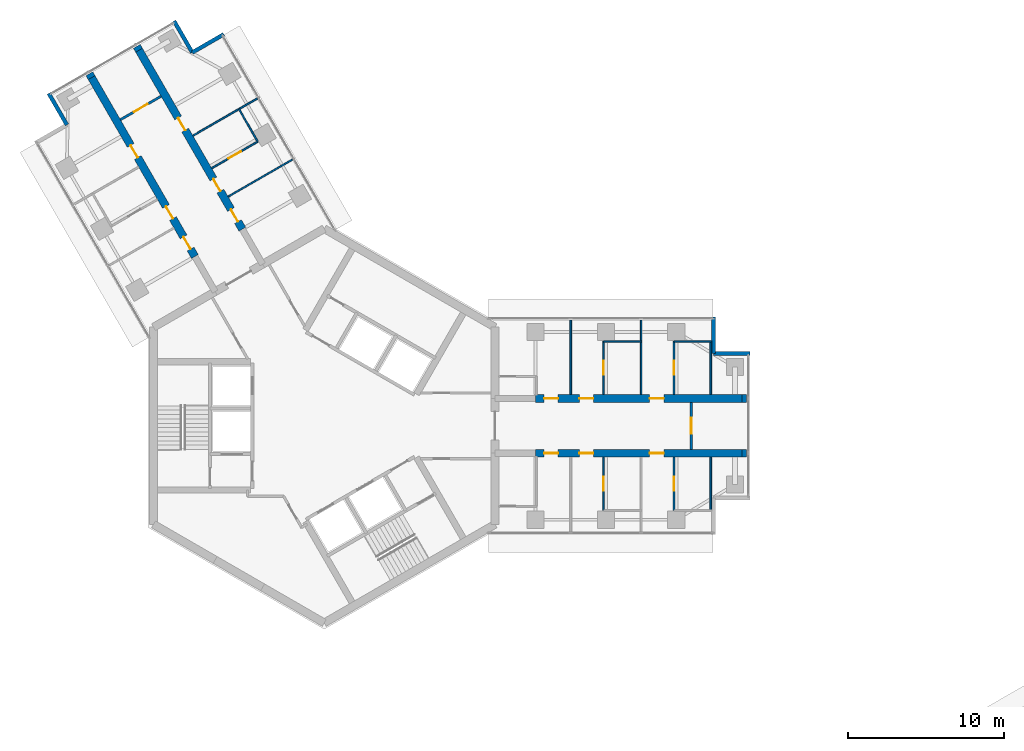
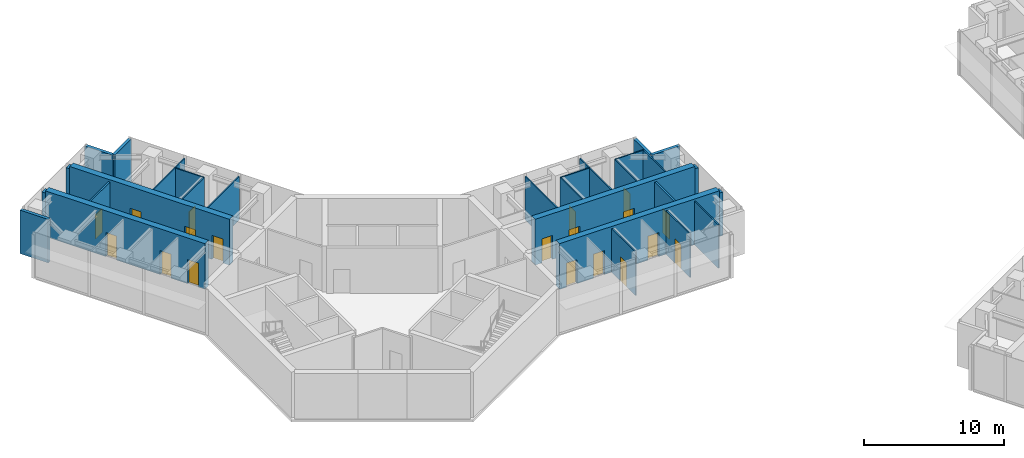
# One storey, part 13 of 17: 29 walls, 19 doors, 19 openings.
"""IFC4 building model written with IfcOpenShell, lengths in metres."""

import ifcopenshell
import ifcopenshell.guid

model = None  # the IFC model being written
_history = None  # IfcOwnerHistory: only IFC2X3 demands one
_inside = {}  # id of a spatial element -> (the spatial element, [elements in it])
_under = {}  # id of a project, library or spatial element -> (it, [spatial elements below it])
_declared = {}  # id of a project -> (the project, [libraries it declares])
_typed = {}  # id of a type object -> (the type object, [elements of that type])
_made_of = {}  # id of a material, layer set ... -> (it, [elements and type objects made of it])


def new_model(schema):
    """Start an empty IFC model of exactly this schema.

    Asked for "IFC4X3", IfcOpenShell would pick the latest addendum, in which some entities
    have other attributes; the version numbers below select the first issue.
    IFC2X3 requires an IfcOwnerHistory on every rooted entity: one is made here for all.
    """
    global model, _history
    if schema == "IFC4X3":
        model = ifcopenshell.file(schema_version=(4, 3, 0, 0))
    else:
        model = ifcopenshell.file(schema=schema)
    _inside.clear()
    _under.clear()
    _declared.clear()
    _typed.clear()
    _made_of.clear()
    _history = None
    if model.schema == "IFC2X3":
        org = make("IfcOrganization", Name="unknown")
        user = make(
            "IfcPersonAndOrganization",
            ThePerson=make("IfcPerson", FamilyName="unknown"),
            TheOrganization=org,
        )
        app = make(
            "IfcApplication",
            ApplicationDeveloper=org,
            Version="unknown",
            ApplicationFullName="unknown",
            ApplicationIdentifier="unknown",
        )
        _history = make(
            "IfcOwnerHistory",
            OwningUser=user,
            OwningApplication=app,
            ChangeAction="ADDED",
            CreationDate=0,
        )
    return model


def make(cls, **values):
    """One entity of the class cls with the attributes given. An attribute that is None is left unset."""
    return model.create_entity(
        cls, **{name: value for name, value in values.items() if value is not None}
    )


def rooted(cls, **values):
    """An entity with a GlobalId (a new one), such as an element, a storey or a relation."""
    return make(cls, GlobalId=ifcopenshell.guid.new(), OwnerHistory=_history, **values)


def si_unit(unit_type, name, prefix=None):
    """IfcSIUnit, for example si_unit("LENGTHUNIT", "METRE", prefix="MILLI")."""
    return make("IfcSIUnit", UnitType=unit_type, Prefix=prefix, Name=name)


def assignment(units):
    """IfcUnitAssignment: the units of a project."""
    return None if units is None else make("IfcUnitAssignment", Units=units)


def point(xyz):
    """IfcCartesianPoint."""
    return None if xyz is None else make("IfcCartesianPoint", Coordinates=xyz)


def direction(xyz):
    """IfcDirection."""
    return None if xyz is None else make("IfcDirection", DirectionRatios=xyz)


def frame(location, z_axis=None, x_axis=None):
    """IfcAxis2Placement3D, a coordinate frame: its origin and axes. An axis left out is left unset."""
    return make(
        "IfcAxis2Placement3D",
        Location=point(location),
        Axis=direction(z_axis),
        RefDirection=direction(x_axis),
    )


def frame_2d(location, x_axis=None):
    """IfcAxis2Placement2D, a coordinate frame in the plane: its origin and x axis."""
    return make(
        "IfcAxis2Placement2D", Location=point(location), RefDirection=direction(x_axis)
    )


def origin():
    """The frame at (0, 0, 0) with its axes left unset."""
    return frame((0.0, 0.0, 0.0))


def place(relative_to, where):
    """IfcLocalPlacement: puts the frame where relative to a parent placement (None: the world)."""
    return make(
        "IfcLocalPlacement", PlacementRelTo=relative_to, RelativePlacement=where
    )


def context(
    kind, dimensions, precision=None, world=None, true_north=None, identifier=None
):
    """IfcGeometricRepresentationContext, for example the 3D "Model" context."""
    return make(
        "IfcGeometricRepresentationContext",
        ContextIdentifier=identifier,
        ContextType=kind,
        CoordinateSpaceDimension=dimensions,
        Precision=precision,
        WorldCoordinateSystem=world,
        TrueNorth=true_north,
    )


def subcontext(parent, identifier, kind, view, scale=None):
    """IfcGeometricRepresentationSubContext, for example "Body" below "Model"."""
    return make(
        "IfcGeometricRepresentationSubContext",
        ContextIdentifier=identifier,
        ContextType=kind,
        ParentContext=parent,
        TargetScale=scale,
        TargetView=view,
    )


def project(units=None, contexts=None):
    """IfcProject with its units and contexts."""
    return rooted(
        "IfcProject",
        Name="project",
        RepresentationContexts=contexts,
        UnitsInContext=assignment(units),
    )


def spatial(cls, under=None, at=None, **own):
    """A site, building, storey or space (cls), placed at a placement, below another one or the project."""
    s = rooted(cls, ObjectPlacement=at, **own)
    if under is not None:
        _under.setdefault(under.id(), (under, []))[1].append(s)
    return s


def profile(cls, at=None, kind="AREA", **sizes):
    """A parametric profile (cls). Its sizes go by their IFC names, for example OverallWidth=200.0."""
    return make(cls, ProfileType=kind, Position=at, **sizes)


def rectangle(**sizes):
    """IfcRectangleProfileDef."""
    return profile("IfcRectangleProfileDef", **sizes)


def extrude(swept, where, along, depth):
    """IfcExtrudedAreaSolid: the profile swept, set in the frame where, extruded along a direction by depth."""
    return make(
        "IfcExtrudedAreaSolid",
        SweptArea=swept,
        Position=where,
        ExtrudedDirection=direction(along),
        Depth=depth,
    )


def shape(context_of_items, identifier, shape_type, items):
    """IfcShapeRepresentation: the items that make up one representation, for example the "Body"."""
    return make(
        "IfcShapeRepresentation",
        ContextOfItems=context_of_items,
        RepresentationIdentifier=identifier,
        RepresentationType=shape_type,
        Items=items,
    )


def material(Name=None, Category=None):
    """IfcMaterial."""
    return make("IfcMaterial", Name=Name, Category=Category)


def layer(
    of_material, thickness, ventilated=None, Name=None, Category=None, Priority=None
):
    """IfcMaterialLayer: one layer of a wall or slab, of a material (None: an air gap)."""
    return make(
        "IfcMaterialLayer",
        Material=of_material,
        LayerThickness=thickness,
        IsVentilated=ventilated,
        Name=Name,
        Category=Category,
        Priority=Priority,
    )


def layer_set(layers, Name=None):
    """IfcMaterialLayerSet."""
    return make("IfcMaterialLayerSet", MaterialLayers=layers, LayerSetName=Name)


def made_of(thing, what):
    """Note that an element or type object is made of a material, layer set ...; save() writes the relation."""
    if what is not None:
        _made_of.setdefault(what.id(), (what, []))[1].append(thing)
    return thing


def type_object(cls, material=None, **own):
    """A type object (cls), such as IfcWallType, which elements share."""
    return made_of(rooted(cls, **own), material)


def element(
    cls,
    number,
    at=None,
    inside=None,
    cuts=None,
    type_object=None,
    material=None,
    context=None,
    identifier="Body",
    shape_type=None,
    held_by="IfcProductDefinitionShape",
    body=None,
    shapes=None,
    **own,
):
    """One element of the class cls, such as IfcWall. Its Tag is "e" and its number.

    at: its placement. inside: the storey or other place that contains it. cuts: it is an
    opening in that element (IfcRelVoidsElement). A single representation is given by context,
    identifier, shape_type and body (its items); several are given by shapes. held_by: the class
    of the entity that holds the representations. save() writes the other relations.
    """
    e = rooted(cls, Tag="e%d" % number, ObjectPlacement=at, **own)
    if body is not None:
        shapes = [shape(context, identifier, shape_type, body)]
    if shapes is not None:
        e.Representation = make(held_by, Representations=shapes)
    if inside is not None:
        _inside.setdefault(inside.id(), (inside, []))[1].append(e)
    if cuts is not None:
        rooted(
            "IfcRelVoidsElement", RelatingBuildingElement=cuts, RelatedOpeningElement=e
        )
    if type_object is not None:
        _typed.setdefault(type_object.id(), (type_object, []))[1].append(e)
    return made_of(e, material)


def fill(opening, filler):
    """IfcRelFillsElement: the door or window that sits in an opening."""
    return rooted(
        "IfcRelFillsElement",
        RelatingOpeningElement=opening,
        RelatedBuildingElement=filler,
    )


def aggregate(whole, parts):
    """IfcRelAggregates: a whole, such as a stair, and the parts it consists of."""
    return rooted("IfcRelAggregates", RelatingObject=whole, RelatedObjects=parts)


def save(model, path):
    """Write the relations noted so far, then the file.

    IfcRelAggregates (storeys below a building ...), IfcRelContainedInSpatialStructure (elements
    in a storey), IfcRelDefinesByType, IfcRelAssociatesMaterial and IfcRelDeclares: one each for
    every whole, place, type object, material and project.
    """
    for whole, parts in _under.values():
        aggregate(whole, parts)
    for where, things in _inside.values():
        rooted(
            "IfcRelContainedInSpatialStructure",
            RelatedElements=things,
            RelatingStructure=where,
        )
    for kind, things in _typed.values():
        rooted("IfcRelDefinesByType", RelatedObjects=things, RelatingType=kind)
    for what, things in _made_of.values():
        rooted("IfcRelAssociatesMaterial", RelatedObjects=things, RelatingMaterial=what)
    for by, libraries in _declared.values():
        rooted("IfcRelDeclares", RelatingContext=by, RelatedDefinitions=libraries)
    model.write(path)


model = new_model("IFC4")

# Units and contexts
model_context = context("Model", 3, precision=1e-05, world=origin(), true_north=direction((0.0, 1.0)))
body_context = subcontext(model_context, "Body", "Model", "MODEL_VIEW")
ifc_project = project(units=[si_unit("LENGTHUNIT", "METRE"), si_unit("AREAUNIT", "SQUARE_METRE"), si_unit("VOLUMEUNIT", "CUBIC_METRE"), si_unit("PLANEANGLEUNIT", "RADIAN"), si_unit("MASSUNIT", "GRAM", prefix="KILO")], contexts=[model_context])

# Site, building, storey
site_placement = place(None, origin())
site = spatial("IfcSite", under=ifc_project, at=site_placement, CompositionType="ELEMENT")
building_placement = place(site_placement, origin())
building = spatial("IfcBuilding", under=site, at=building_placement, Name="Upepo Twin Towers", CompositionType="ELEMENT")
storey_placement = place(building_placement, frame((0.0, 0.0, 230.5)))
storey = spatial("IfcBuildingStorey", under=building, at=storey_placement, Name="L56", CompositionType="ELEMENT", Elevation=230.5)

# Walls
ifc_material_1 = material(Name="Dense concrete blockwork", Category="masonry")
ifc_layer_1 = layer(ifc_material_1, 0.5)
ifc_layer_set_1 = layer_set([ifc_layer_1], Name="Buttress closer 500, blockwork with fire-stopping to the curtain wall")
wall_type_1 = type_object("IfcWallType", Name="Buttress closer 500, blockwork with fire-stopping to the curtain wall", PredefinedType="PARTITIONING", material=ifc_layer_set_1)
for number, where, z_axis, x_axis, name in (
    (1, (26.699951171875, 1.75, 0.0), (0.0, 0.0, 1.0), (1.0, 0.0, 0.0), "T1 L56 wing A buttress closer L"),
    (2, (26.699951171875, -1.75, 0.0), (0.0, 0.0, 1.0), (1.0, 0.0, 0.0), "T1 L56 wing A buttress closer R"),
    (3, (-14.865478515625, 22.247802734375, 0.0), (0.0, 0.0, 1.0), (-0.500065409566, 0.86598763626, 0.0), "T1 L56 wing B buttress closer L"),
    (4, (-11.83447265625, 23.997802734375, 0.0), (0.0, 0.0, 1.0), (-0.500065409566, 0.86598763626, 0.0), "T1 L56 wing B buttress closer R"),
):
    element("IfcWall", number, at=place(storey_placement, frame(where, z_axis=z_axis, x_axis=x_axis)), inside=storey, type_object=wall_type_1, Name=name, PredefinedType="PARTITIONING", context=body_context, shape_type="SweptSolid", body=[
        extrude(rectangle(XDim=0.28759765625, YDim=0.5, at=frame_2d((0.143798828125, 0.0))), origin(), (0.0, 0.0, 1.0), 3.800048828125),
    ])

# Wall, openings, doors
ifc_material_2 = material(Name="Concrete C60/75", Category="concrete")
ifc_layer_2 = layer(ifc_material_2, 0.5)
ifc_layer_set_2 = layer_set([ifc_layer_2], Name="Concrete C60/75")
wall_type_2 = type_object("IfcWallType", Name="Buttress wall 500 RC", PredefinedType="SHEAR", material=ifc_layer_set_2)
wall_1_placement = place(storey_placement, frame((13.5, 1.75, 0.0), z_axis=(0.0, 0.0, 1.0), x_axis=(1.0, 0.0, 0.0)))
wall_1 = element("IfcWall", 5, at=wall_1_placement, inside=storey, type_object=wall_type_2, Name="T1 wing A buttress wall L part 2", PredefinedType="SHEAR", context=body_context, shape_type="SweptSolid", body=[
    extrude(rectangle(XDim=13.199951171875, YDim=0.5, at=frame_2d((6.60009765625, 0.0))), origin(), (0.0, 0.0, 1.0), 4.0),
])
opening_1_placement = place(wall_1_placement, frame((0.550048828125, 0.0, 0.0)))
opening_1 = element("IfcOpeningElement", 6, at=opening_1_placement, cuts=wall_1, Name="Opening D11", PredefinedType="OPENING", context=body_context, shape_type="SweptSolid", body=[
    extrude(rectangle(XDim=0.89990234375, YDim=2.10009765625, at=frame_2d((0.449951171875, 1.050048828125))), frame((0.0, 0.260009765625, 0.0), z_axis=(0.0, -1.0, 0.0), x_axis=(1.0, 0.0, 0.0)), (0.0, 0.0, 1.0), 0.52001953125),
])
opening_2_placement = place(wall_1_placement, frame((2.800048828125, 0.0, 0.0)))
opening_2 = element("IfcOpeningElement", 7, at=opening_2_placement, cuts=wall_1, Name="Opening D14", PredefinedType="OPENING", context=body_context, shape_type="SweptSolid", body=[
    extrude(rectangle(XDim=0.89990234375, YDim=2.10009765625, at=frame_2d((0.449951171875, 1.050048828125))), frame((0.0, 0.260009765625, 0.0), z_axis=(0.0, -1.0, 0.0), x_axis=(1.0, 0.0, 0.0)), (0.0, 0.0, 1.0), 0.52001953125),
])
opening_3_placement = place(wall_1_placement, frame((7.300048828125, 0.0, 0.0)))
opening_3 = element("IfcOpeningElement", 8, at=opening_3_placement, cuts=wall_1, Name="Opening D14", PredefinedType="OPENING", context=body_context, shape_type="SweptSolid", body=[
    extrude(rectangle(XDim=0.89990234375, YDim=2.10009765625, at=frame_2d((0.449951171875, 1.050048828125))), frame((0.0, 0.260009765625, 0.0), z_axis=(0.0, -1.0, 0.0), x_axis=(1.0, 0.0, 0.0)), (0.0, 0.0, 1.0), 0.52001953125),
])
ifc_material_3 = material(Name="Timber doorset", Category="wood")
door_type_1 = type_object("IfcDoorType", Name="Office door 900 FD30", OperationType="SINGLE_SWING_LEFT", PredefinedType="DOOR", material=ifc_material_3)
door_1_placement = place(opening_2_placement, origin())
door_1 = element("IfcDoor", 9, at=door_1_placement, inside=storey, type_object=door_type_1, Name="T1 L56 staff office door", OperationType="SINGLE_SWING_LEFT", OverallHeight=2.10009765625, OverallWidth=0.89990234375, PredefinedType="DOOR", context=body_context, shape_type="SweptSolid", body=[
    extrude(rectangle(XDim=0.89990234375, YDim=2.10009765625, at=frame_2d((0.449951171875, 1.050048828125))), frame((0.0, 0.02490234375, 0.0), z_axis=(0.0, -1.0, 0.0), x_axis=(1.0, 0.0, 0.0)), (0.0, 0.0, 1.0), 0.050048828125),
])
fill(opening_2, door_1)
door_2_placement = place(opening_3_placement, origin())
door_2 = element("IfcDoor", 10, at=door_2_placement, inside=storey, type_object=door_type_1, Name="T1 L56 postgraduate office door", OperationType="SINGLE_SWING_RIGHT", OverallHeight=2.10009765625, OverallWidth=0.89990234375, PredefinedType="DOOR", context=body_context, shape_type="SweptSolid", body=[
    extrude(rectangle(XDim=0.89990234375, YDim=2.10009765625, at=frame_2d((0.449951171875, 1.050048828125))), frame((0.0, 0.02490234375, 0.0), z_axis=(0.0, -1.0, 0.0), x_axis=(1.0, 0.0, 0.0)), (0.0, 0.0, 1.0), 0.050048828125),
])
fill(opening_3, door_2)
ifc_material_4 = material(Name="Timber doorset", Category="wood")
door_type_2 = type_object("IfcDoorType", Name="Toilet door 900", OperationType="SINGLE_SWING_LEFT", PredefinedType="DOOR", material=ifc_material_4)
door_3_placement = place(opening_1_placement, origin())
door_3 = element("IfcDoor", 11, at=door_3_placement, inside=storey, type_object=door_type_2, Name="T1 L56 toilets door", OperationType="SINGLE_SWING_LEFT", OverallHeight=2.10009765625, OverallWidth=0.89990234375, PredefinedType="DOOR", context=body_context, shape_type="SweptSolid", body=[
    extrude(rectangle(XDim=0.89990234375, YDim=2.10009765625, at=frame_2d((0.449951171875, 1.050048828125))), frame((0.0, 0.02490234375, 0.0), z_axis=(0.0, -1.0, 0.0), x_axis=(1.0, 0.0, 0.0)), (0.0, 0.0, 1.0), 0.050048828125),
])
fill(opening_1, door_3)

wall_2_placement = place(storey_placement, frame((13.5, -1.75, 0.0), z_axis=(0.0, 0.0, 1.0), x_axis=(1.0, 0.0, 0.0)))
wall_2 = element("IfcWall", 12, at=wall_2_placement, inside=storey, type_object=wall_type_2, Name="T1 wing A buttress wall R part 2", PredefinedType="SHEAR", context=body_context, shape_type="SweptSolid", body=[
    extrude(rectangle(XDim=13.199951171875, YDim=0.5, at=frame_2d((6.60009765625, 0.0))), origin(), (0.0, 0.0, 1.0), 4.0),
])
opening_4_placement = place(wall_2_placement, frame((0.550048828125, 0.0, 0.0)))
opening_4 = element("IfcOpeningElement", 13, at=opening_4_placement, cuts=wall_2, Name="Opening D11", PredefinedType="OPENING", context=body_context, shape_type="SweptSolid", body=[
    extrude(rectangle(XDim=0.89990234375, YDim=2.10009765625, at=frame_2d((0.449951171875, 1.050048828125))), frame((0.0, 0.260009765625, 0.0), z_axis=(0.0, -1.0, 0.0), x_axis=(1.0, 0.0, 0.0)), (0.0, 0.0, 1.0), 0.52001953125),
])
opening_5_placement = place(wall_2_placement, frame((2.800048828125, 0.0, 0.0)))
opening_5 = element("IfcOpeningElement", 14, at=opening_5_placement, cuts=wall_2, Name="Opening D14", PredefinedType="OPENING", context=body_context, shape_type="SweptSolid", body=[
    extrude(rectangle(XDim=0.89990234375, YDim=2.10009765625, at=frame_2d((0.449951171875, 1.050048828125))), frame((0.0, 0.260009765625, 0.0), z_axis=(0.0, -1.0, 0.0), x_axis=(1.0, 0.0, 0.0)), (0.0, 0.0, 1.0), 0.52001953125),
])
opening_6_placement = place(wall_2_placement, frame((7.300048828125, 0.0, 0.0)))
opening_6 = element("IfcOpeningElement", 15, at=opening_6_placement, cuts=wall_2, Name="Opening D14", PredefinedType="OPENING", context=body_context, shape_type="SweptSolid", body=[
    extrude(rectangle(XDim=0.89990234375, YDim=2.10009765625, at=frame_2d((0.449951171875, 1.050048828125))), frame((0.0, 0.260009765625, 0.0), z_axis=(0.0, -1.0, 0.0), x_axis=(1.0, 0.0, 0.0)), (0.0, 0.0, 1.0), 0.52001953125),
])
door_4_placement = place(opening_5_placement, origin())
door_4 = element("IfcDoor", 16, at=door_4_placement, inside=storey, type_object=door_type_1, Name="T1 L56 meeting room door", OperationType="SINGLE_SWING_LEFT", OverallHeight=2.10009765625, OverallWidth=0.89990234375, PredefinedType="DOOR", context=body_context, shape_type="SweptSolid", body=[
    extrude(rectangle(XDim=0.89990234375, YDim=2.10009765625, at=frame_2d((0.449951171875, 1.050048828125))), frame((0.0, 0.02490234375, 0.0), z_axis=(0.0, -1.0, 0.0), x_axis=(1.0, 0.0, 0.0)), (0.0, 0.0, 1.0), 0.050048828125),
])
fill(opening_5, door_4)
door_5_placement = place(opening_6_placement, origin())
door_5 = element("IfcDoor", 17, at=door_5_placement, inside=storey, type_object=door_type_1, Name="T1 L56 staff office door", OperationType="SINGLE_SWING_RIGHT", OverallHeight=2.10009765625, OverallWidth=0.89990234375, PredefinedType="DOOR", context=body_context, shape_type="SweptSolid", body=[
    extrude(rectangle(XDim=0.89990234375, YDim=2.10009765625, at=frame_2d((0.449951171875, 1.050048828125))), frame((0.0, 0.02490234375, 0.0), z_axis=(0.0, -1.0, 0.0), x_axis=(1.0, 0.0, 0.0)), (0.0, 0.0, 1.0), 0.050048828125),
])
fill(opening_6, door_5)
door_6_placement = place(opening_4_placement, origin())
door_6 = element("IfcDoor", 18, at=door_6_placement, inside=storey, type_object=door_type_2, Name="T1 L56 accessible wc door", OperationType="SINGLE_SWING_LEFT", OverallHeight=2.10009765625, OverallWidth=0.89990234375, PredefinedType="DOOR", context=body_context, shape_type="SweptSolid", body=[
    extrude(rectangle(XDim=0.89990234375, YDim=2.10009765625, at=frame_2d((0.449951171875, 1.050048828125))), frame((0.0, 0.02490234375, 0.0), z_axis=(0.0, -1.0, 0.0), x_axis=(1.0, 0.0, 0.0)), (0.0, 0.0, 1.0), 0.050048828125),
])
fill(opening_4, door_6)

wall_3_placement = place(storey_placement, frame((-8.265625, 10.81640625, 0.0), z_axis=(0.0, 0.0, 1.0), x_axis=(-0.499996231654, 0.866027579429, 0.0)))
wall_3 = element("IfcWall", 19, at=wall_3_placement, inside=storey, type_object=wall_type_2, Name="T1 wing B buttress wall L part 2", PredefinedType="SHEAR", context=body_context, shape_type="SweptSolid", body=[
    extrude(rectangle(XDim=13.19970703125, YDim=0.5, at=frame_2d((6.599853515625, 0.0))), origin(), (0.0, 0.0, 1.0), 4.0),
])
opening_7_placement = place(wall_3_placement, frame((0.550048828125, 0.0, 0.0)))
opening_7 = element("IfcOpeningElement", 20, at=opening_7_placement, cuts=wall_3, Name="Opening D14", PredefinedType="OPENING", context=body_context, shape_type="SweptSolid", body=[
    extrude(rectangle(XDim=0.89990234375, YDim=2.10009765625, at=frame_2d((0.449951171875, 1.050048828125))), frame((0.0, 0.260009765625, 0.0), z_axis=(0.0, -1.0, 0.0), x_axis=(1.0, 0.0, 0.0)), (0.0, 0.0, 1.0), 0.52001953125),
])
opening_8_placement = place(wall_3_placement, frame((2.800048828125, 0.0, 0.0)))
opening_8 = element("IfcOpeningElement", 21, at=opening_8_placement, cuts=wall_3, Name="Opening D14", PredefinedType="OPENING", context=body_context, shape_type="SweptSolid", body=[
    extrude(rectangle(XDim=0.89990234375, YDim=2.10009765625, at=frame_2d((0.449951171875, 1.050048828125))), frame((0.0, 0.260009765625, 0.0), z_axis=(0.0, -1.0, 0.0), x_axis=(1.0, 0.0, 0.0)), (0.0, 0.0, 1.0), 0.52001953125),
])
opening_9_placement = place(wall_3_placement, frame((7.300048828125, 0.0, 0.0)))
opening_9 = element("IfcOpeningElement", 22, at=opening_9_placement, cuts=wall_3, Name="Opening D14", PredefinedType="OPENING", context=body_context, shape_type="SweptSolid", body=[
    extrude(rectangle(XDim=0.89990234375, YDim=2.10009765625, at=frame_2d((0.449951171875, 1.050048828125))), frame((0.0, 0.260009765625, 0.0), z_axis=(0.0, -1.0, 0.0), x_axis=(1.0, 0.0, 0.0)), (0.0, 0.0, 1.0), 0.52001953125),
])
door_7_placement = place(opening_7_placement, origin())
door_7 = element("IfcDoor", 23, at=door_7_placement, inside=storey, type_object=door_type_1, Name="T1 L56 staff office door", OperationType="SINGLE_SWING_LEFT", OverallHeight=2.10009765625, OverallWidth=0.89990234375, PredefinedType="DOOR", context=body_context, shape_type="SweptSolid", body=[
    extrude(rectangle(XDim=0.89990234375, YDim=2.10009765625, at=frame_2d((0.449951171875, 1.050048828125))), frame((0.0, 0.02490234375, 0.0), z_axis=(0.0, -1.0, 0.0), x_axis=(1.0, 0.0, 0.0)), (0.0, 0.0, 1.0), 0.050048828125),
])
fill(opening_7, door_7)
door_8_placement = place(opening_8_placement, origin())
door_8 = element("IfcDoor", 24, at=door_8_placement, inside=storey, type_object=door_type_1, Name="T1 L56 postgraduate office door", OperationType="SINGLE_SWING_LEFT", OverallHeight=2.10009765625, OverallWidth=0.89990234375, PredefinedType="DOOR", context=body_context, shape_type="SweptSolid", body=[
    extrude(rectangle(XDim=0.89990234375, YDim=2.10009765625, at=frame_2d((0.449951171875, 1.050048828125))), frame((0.0, 0.02490234375, 0.0), z_axis=(0.0, -1.0, 0.0), x_axis=(1.0, 0.0, 0.0)), (0.0, 0.0, 1.0), 0.050048828125),
])
fill(opening_8, door_8)
door_9_placement = place(opening_9_placement, origin())
door_9 = element("IfcDoor", 25, at=door_9_placement, inside=storey, type_object=door_type_1, Name="T1 L56 meeting room door", OperationType="SINGLE_SWING_RIGHT", OverallHeight=2.10009765625, OverallWidth=0.89990234375, PredefinedType="DOOR", context=body_context, shape_type="SweptSolid", body=[
    extrude(rectangle(XDim=0.89990234375, YDim=2.10009765625, at=frame_2d((0.449951171875, 1.050048828125))), frame((0.0, 0.02490234375, 0.0), z_axis=(0.0, -1.0, 0.0), x_axis=(1.0, 0.0, 0.0)), (0.0, 0.0, 1.0), 0.050048828125),
])
fill(opening_9, door_9)

wall_4_placement = place(storey_placement, frame((-5.234375, 12.56640625, 0.0), z_axis=(0.0, 0.0, 1.0), x_axis=(-0.500010103361, 0.866019570528, 0.0)))
wall_4 = element("IfcWall", 26, at=wall_4_placement, inside=storey, type_object=wall_type_2, Name="T1 wing B buttress wall R part 2", PredefinedType="SHEAR", context=body_context, shape_type="SweptSolid", body=[
    extrude(rectangle(XDim=13.199951171875, YDim=0.5, at=frame_2d((6.60009765625, 0.0))), origin(), (0.0, 0.0, 1.0), 4.0),
])
opening_10_placement = place(wall_4_placement, frame((0.550048828125, 0.0, 0.0)))
opening_10 = element("IfcOpeningElement", 27, at=opening_10_placement, cuts=wall_4, Name="Opening D14", PredefinedType="OPENING", context=body_context, shape_type="SweptSolid", body=[
    extrude(rectangle(XDim=0.89990234375, YDim=2.10009765625, at=frame_2d((0.449951171875, 1.050048828125))), frame((0.0, 0.260009765625, 0.0), z_axis=(0.0, -1.0, 0.0), x_axis=(1.0, 0.0, 0.0)), (0.0, 0.0, 1.0), 0.52001953125),
])
opening_11_placement = place(wall_4_placement, frame((2.800048828125, 0.0, 0.0)))
opening_11 = element("IfcOpeningElement", 28, at=opening_11_placement, cuts=wall_4, Name="Opening D14", PredefinedType="OPENING", context=body_context, shape_type="SweptSolid", body=[
    extrude(rectangle(XDim=0.89990234375, YDim=2.10009765625, at=frame_2d((0.449951171875, 1.050048828125))), frame((0.0, 0.260009765625, 0.0), z_axis=(0.0, -1.0, 0.0), x_axis=(1.0, 0.0, 0.0)), (0.0, 0.0, 1.0), 0.52001953125),
])
opening_12_placement = place(wall_4_placement, frame((7.300048828125, 0.0, 0.0)))
opening_12 = element("IfcOpeningElement", 29, at=opening_12_placement, cuts=wall_4, Name="Opening D14", PredefinedType="OPENING", context=body_context, shape_type="SweptSolid", body=[
    extrude(rectangle(XDim=0.89990234375, YDim=2.10009765625, at=frame_2d((0.449951171875, 1.050048828125))), frame((0.0, 0.260009765625, 0.0), z_axis=(0.0, -1.0, 0.0), x_axis=(1.0, 0.0, 0.0)), (0.0, 0.0, 1.0), 0.52001953125),
])
door_10_placement = place(opening_10_placement, origin())
door_10 = element("IfcDoor", 30, at=door_10_placement, inside=storey, type_object=door_type_1, Name="T1 L56 staff office door", OperationType="SINGLE_SWING_LEFT", OverallHeight=2.10009765625, OverallWidth=0.89990234375, PredefinedType="DOOR", context=body_context, shape_type="SweptSolid", body=[
    extrude(rectangle(XDim=0.89990234375, YDim=2.10009765625, at=frame_2d((0.449951171875, 1.050048828125))), frame((0.0, 0.02490234375, 0.0), z_axis=(0.0, -1.0, 0.0), x_axis=(1.0, 0.0, 0.0)), (0.0, 0.0, 1.0), 0.050048828125),
])
fill(opening_10, door_10)
door_11_placement = place(opening_11_placement, origin())
door_11 = element("IfcDoor", 31, at=door_11_placement, inside=storey, type_object=door_type_1, Name="T1 L56 staff office door", OperationType="SINGLE_SWING_LEFT", OverallHeight=2.10009765625, OverallWidth=0.89990234375, PredefinedType="DOOR", context=body_context, shape_type="SweptSolid", body=[
    extrude(rectangle(XDim=0.89990234375, YDim=2.10009765625, at=frame_2d((0.449951171875, 1.050048828125))), frame((0.0, 0.02490234375, 0.0), z_axis=(0.0, -1.0, 0.0), x_axis=(1.0, 0.0, 0.0)), (0.0, 0.0, 1.0), 0.050048828125),
])
fill(opening_11, door_11)
door_12_placement = place(opening_12_placement, origin())
door_12 = element("IfcDoor", 32, at=door_12_placement, inside=storey, type_object=door_type_1, Name="T1 L56 postgraduate office door", OperationType="SINGLE_SWING_RIGHT", OverallHeight=2.10009765625, OverallWidth=0.89990234375, PredefinedType="DOOR", context=body_context, shape_type="SweptSolid", body=[
    extrude(rectangle(XDim=0.89990234375, YDim=2.10009765625, at=frame_2d((0.449951171875, 1.050048828125))), frame((0.0, 0.02490234375, 0.0), z_axis=(0.0, -1.0, 0.0), x_axis=(1.0, 0.0, 0.0)), (0.0, 0.0, 1.0), 0.050048828125),
])
fill(opening_12, door_12)

# Walls
ifc_material_5 = material(Name="Blockwork with anodised aluminium cladding", Category="masonry")
ifc_layer_3 = layer(ifc_material_5, 0.25)
ifc_layer_set_3 = layer_set([ifc_layer_3], Name="Notch cladding wall 250, pale metal")
wall_type_3 = type_object("IfcWallType", Name="Notch cladding wall 250, pale metal", PredefinedType="STANDARD", material=ifc_layer_set_3)
for number, where, z_axis, x_axis, name in (
    (33, (24.875, 6.949951171875, 0.0), (0.0, 0.0, 1.0), (0.0, -1.0, 0.0), "T1 L56 wing A notch wall L1"),
    (34, (24.875, 4.625, 0.0), (0.0, 0.0, 1.0), (1.0, 0.0, 0.0), "T1 L56 wing A notch wall L2"),
    (35, (-16.44287109375, 19.22998046875, 0.0), (0.0, 0.0, 1.0), (-0.500046648681, 0.865998469481, 0.0), "T1 L56 wing B notch wall L2"),
    (36, (-6.418701171875, 25.017333984375, 0.0), (0.0, 0.0, 1.0), (-0.866043940782, -0.499967891604, 0.0), "T1 L56 wing B notch wall R1"),
    (37, (-8.43212890625, 23.85498046875, 0.0), (0.0, 0.0, 1.0), (-0.500046648681, 0.865998469481, 0.0), "T1 L56 wing B notch wall R2"),
):
    element("IfcWall", number, at=place(storey_placement, frame(where, z_axis=z_axis, x_axis=x_axis)), inside=storey, type_object=wall_type_3, Name=name, PredefinedType="STANDARD", context=body_context, shape_type="SweptSolid", body=[
        extrude(rectangle(XDim=2.324951171875, YDim=0.25, at=frame_2d((1.16259765625, 0.0))), origin(), (0.0, 0.0, 1.0), 3.800048828125),
    ])
ifc_material_6 = material(Name="Gypsum board on steel studs", Category="steel")
ifc_layer_4 = layer(ifc_material_6, 0.10009765625)
ifc_layer_set_4 = layer_set([ifc_layer_4], Name="Office partition 100 stud")
wall_type_4 = type_object("IfcWallType", Name="Office partition 100 stud", PredefinedType="PARTITIONING", material=ifc_layer_set_4)
for number, where, z_axis, x_axis, name in (
    (38, (15.75, 2.0, 0.0), (0.0, 0.0, 1.0), (0.0, 1.0, 0.0), "T1 partition AL at 15.75"),
    (39, (20.25, 2.0, 0.0), (0.0, 0.0, 1.0), (0.0, 1.0, 0.0), "T1 partition AL at 20.25"),
):
    element("IfcWall", number, at=place(storey_placement, frame(where, z_axis=z_axis, x_axis=x_axis)), inside=storey, type_object=wall_type_4, Name=name, PredefinedType="PARTITIONING", context=body_context, shape_type="SweptSolid", body=[
        extrude(rectangle(XDim=4.75, YDim=0.10009765625, at=frame_2d((2.375, 0.0))), origin(), (0.0, 0.0, 1.0), 3.800048828125),
    ])
wall_5_placement = place(storey_placement, frame((17.85009765625, 5.39990234375, 0.0), z_axis=(0.0, 0.0, 1.0), x_axis=(1.0, 0.0, 0.0)))
element("IfcWall", 40, at=wall_5_placement, inside=storey, type_object=wall_type_4, Name="T1 inner room partition AL at 17.85", PredefinedType="PARTITIONING", context=body_context, shape_type="SweptSolid", body=[
    extrude(rectangle(XDim=2.39990234375, YDim=0.10009765625, at=frame_2d((1.199951171875, 0.0))), origin(), (0.0, 0.0, 1.0), 3.800048828125),
])

# Wall, opening, door
wall_6_placement = place(storey_placement, frame((17.85009765625, 2.0, 0.0), z_axis=(0.0, 0.0, 1.0), x_axis=(0.0, 1.0, 0.0)))
wall_6 = element("IfcWall", 41, at=wall_6_placement, inside=storey, type_object=wall_type_4, Name="T1 inner room partition AL end at 17.85", PredefinedType="PARTITIONING", context=body_context, shape_type="SweptSolid", body=[
    extrude(rectangle(XDim=3.39990234375, YDim=0.10009765625, at=frame_2d((1.699951171875, 0.0))), origin(), (0.0, 0.0, 1.0), 3.800048828125),
])
opening_13_placement = place(wall_6_placement, frame((1.25, 0.0, 0.0)))
opening_13 = element("IfcOpeningElement", 42, at=opening_13_placement, cuts=wall_6, Name="Opening D14", PredefinedType="OPENING", context=body_context, shape_type="SweptSolid", body=[
    extrude(rectangle(XDim=0.89990234375, YDim=2.10009765625, at=frame_2d((0.449951171875, 1.050048828125))), frame((0.0, 0.06005859375, 0.0), z_axis=(0.0, -1.0, 0.0), x_axis=(1.0, 0.0, 0.0)), (0.0, 0.0, 1.0), 0.1201171875),
])
door_13_placement = place(opening_13_placement, origin())
door_13 = element("IfcDoor", 43, at=door_13_placement, inside=storey, type_object=door_type_1, Name="T1 L56 inner room door", OperationType="SINGLE_SWING_LEFT", OverallHeight=2.10009765625, OverallWidth=0.89990234375, PredefinedType="DOOR", context=body_context, shape_type="SweptSolid", body=[
    extrude(rectangle(XDim=0.89990234375, YDim=2.10009765625, at=frame_2d((0.449951171875, 1.050048828125))), frame((0.0, 0.02490234375, 0.0), z_axis=(0.0, -1.0, 0.0), x_axis=(1.0, 0.0, 0.0)), (0.0, 0.0, 1.0), 0.050048828125),
])
fill(opening_13, door_13)

# Wall
wall_7_placement = place(storey_placement, frame((22.35009765625, 5.39990234375, 0.0), z_axis=(0.0, 0.0, 1.0), x_axis=(1.0, 0.0, 0.0)))
element("IfcWall", 44, at=wall_7_placement, inside=storey, type_object=wall_type_4, Name="T1 inner room partition AL at 22.35", PredefinedType="PARTITIONING", context=body_context, shape_type="SweptSolid", body=[
    extrude(rectangle(XDim=2.39990234375, YDim=0.10009765625, at=frame_2d((1.199951171875, 0.0))), origin(), (0.0, 0.0, 1.0), 3.800048828125),
])

# Wall, opening, door
wall_8_placement = place(storey_placement, frame((22.35009765625, 2.0, 0.0), z_axis=(0.0, 0.0, 1.0), x_axis=(0.0, 1.0, 0.0)))
wall_8 = element("IfcWall", 45, at=wall_8_placement, inside=storey, type_object=wall_type_4, Name="T1 inner room partition AL end at 22.35", PredefinedType="PARTITIONING", context=body_context, shape_type="SweptSolid", body=[
    extrude(rectangle(XDim=3.39990234375, YDim=0.10009765625, at=frame_2d((1.699951171875, 0.0))), origin(), (0.0, 0.0, 1.0), 3.800048828125),
])
opening_14_placement = place(wall_8_placement, frame((1.25, 0.0, 0.0)))
opening_14 = element("IfcOpeningElement", 46, at=opening_14_placement, cuts=wall_8, Name="Opening D14", PredefinedType="OPENING", context=body_context, shape_type="SweptSolid", body=[
    extrude(rectangle(XDim=0.89990234375, YDim=2.10009765625, at=frame_2d((0.449951171875, 1.050048828125))), frame((0.0, 0.06005859375, 0.0), z_axis=(0.0, -1.0, 0.0), x_axis=(1.0, 0.0, 0.0)), (0.0, 0.0, 1.0), 0.1201171875),
])
door_14_placement = place(opening_14_placement, origin())
door_14 = element("IfcDoor", 47, at=door_14_placement, inside=storey, type_object=door_type_1, Name="T1 L56 inner room door", OperationType="SINGLE_SWING_LEFT", OverallHeight=2.10009765625, OverallWidth=0.89990234375, PredefinedType="DOOR", context=body_context, shape_type="SweptSolid", body=[
    extrude(rectangle(XDim=0.89990234375, YDim=2.10009765625, at=frame_2d((0.449951171875, 1.050048828125))), frame((0.0, 0.02490234375, 0.0), z_axis=(0.0, -1.0, 0.0), x_axis=(1.0, 0.0, 0.0)), (0.0, 0.0, 1.0), 0.050048828125),
])
fill(opening_14, door_14)

# Wall
wall_9_placement = place(storey_placement, frame((24.699951171875, 2.0, 0.0), z_axis=(0.0, 0.0, 1.0), x_axis=(0.0, 1.0, 0.0)))
element("IfcWall", 48, at=wall_9_placement, inside=storey, type_object=wall_type_4, Name="T1 inner room partition AL end at 24.75", PredefinedType="PARTITIONING", context=body_context, shape_type="SweptSolid", body=[
    extrude(rectangle(XDim=3.39990234375, YDim=0.10009765625, at=frame_2d((1.699951171875, 0.0))), origin(), (0.0, 0.0, 1.0), 3.800048828125),
])

# Wall, opening, door
wall_10_placement = place(storey_placement, frame((17.85009765625, -2.0, 0.0), z_axis=(0.0, 0.0, 1.0), x_axis=(0.0, -1.0, 0.0)))
wall_10 = element("IfcWall", 49, at=wall_10_placement, inside=storey, type_object=wall_type_4, Name="T1 inner room partition AR end at 17.85", PredefinedType="PARTITIONING", context=body_context, shape_type="SweptSolid", body=[
    extrude(rectangle(XDim=3.39990234375, YDim=0.10009765625, at=frame_2d((1.699951171875, 0.0))), origin(), (0.0, 0.0, 1.0), 3.800048828125),
])
opening_15_placement = place(wall_10_placement, frame((1.25, 0.0, 0.0)))
opening_15 = element("IfcOpeningElement", 50, at=opening_15_placement, cuts=wall_10, Name="Opening D14", PredefinedType="OPENING", context=body_context, shape_type="SweptSolid", body=[
    extrude(rectangle(XDim=0.89990234375, YDim=2.10009765625, at=frame_2d((0.449951171875, 1.050048828125))), frame((0.0, 0.06005859375, 0.0), z_axis=(0.0, -1.0, 0.0), x_axis=(1.0, 0.0, 0.0)), (0.0, 0.0, 1.0), 0.1201171875),
])
door_15_placement = place(opening_15_placement, origin())
door_15 = element("IfcDoor", 51, at=door_15_placement, inside=storey, type_object=door_type_1, Name="T1 L56 inner room door", OperationType="SINGLE_SWING_LEFT", OverallHeight=2.10009765625, OverallWidth=0.89990234375, PredefinedType="DOOR", context=body_context, shape_type="SweptSolid", body=[
    extrude(rectangle(XDim=0.89990234375, YDim=2.10009765625, at=frame_2d((0.449951171875, 1.050048828125))), frame((0.0, 0.02490234375, 0.0), z_axis=(0.0, -1.0, 0.0), x_axis=(1.0, 0.0, 0.0)), (0.0, 0.0, 1.0), 0.050048828125),
])
fill(opening_15, door_15)

wall_11_placement = place(storey_placement, frame((22.35009765625, -2.0, 0.0), z_axis=(0.0, 0.0, 1.0), x_axis=(0.0, -1.0, 0.0)))
wall_11 = element("IfcWall", 52, at=wall_11_placement, inside=storey, type_object=wall_type_4, Name="T1 inner room partition AR end at 22.35", PredefinedType="PARTITIONING", context=body_context, shape_type="SweptSolid", body=[
    extrude(rectangle(XDim=3.39990234375, YDim=0.10009765625, at=frame_2d((1.699951171875, 0.0))), origin(), (0.0, 0.0, 1.0), 3.800048828125),
])
opening_16_placement = place(wall_11_placement, frame((1.25, 0.0, 0.0)))
opening_16 = element("IfcOpeningElement", 53, at=opening_16_placement, cuts=wall_11, Name="Opening D14", PredefinedType="OPENING", context=body_context, shape_type="SweptSolid", body=[
    extrude(rectangle(XDim=0.89990234375, YDim=2.10009765625, at=frame_2d((0.449951171875, 1.050048828125))), frame((0.0, 0.06005859375, 0.0), z_axis=(0.0, -1.0, 0.0), x_axis=(1.0, 0.0, 0.0)), (0.0, 0.0, 1.0), 0.1201171875),
])
door_16_placement = place(opening_16_placement, origin())
door_16 = element("IfcDoor", 54, at=door_16_placement, inside=storey, type_object=door_type_1, Name="T1 L56 inner room door", OperationType="SINGLE_SWING_LEFT", OverallHeight=2.10009765625, OverallWidth=0.89990234375, PredefinedType="DOOR", context=body_context, shape_type="SweptSolid", body=[
    extrude(rectangle(XDim=0.89990234375, YDim=2.10009765625, at=frame_2d((0.449951171875, 1.050048828125))), frame((0.0, 0.02490234375, 0.0), z_axis=(0.0, -1.0, 0.0), x_axis=(1.0, 0.0, 0.0)), (0.0, 0.0, 1.0), 0.050048828125),
])
fill(opening_16, door_16)

# Walls
wall_12_placement = place(storey_placement, frame((24.699951171875, -2.0, 0.0), z_axis=(0.0, 0.0, 1.0), x_axis=(0.0, -1.0, 0.0)))
element("IfcWall", 55, at=wall_12_placement, inside=storey, type_object=wall_type_4, Name="T1 inner room partition AR end at 24.75", PredefinedType="PARTITIONING", context=body_context, shape_type="SweptSolid", body=[
    extrude(rectangle(XDim=3.39990234375, YDim=0.10009765625, at=frame_2d((1.699951171875, 0.0))), origin(), (0.0, 0.0, 1.0), 3.800048828125),
])
for number, where, z_axis, x_axis, name in (
    (56, (-6.14306640625, 14.639892578125, 0.0), (0.0, 0.0, 1.0), (0.866033238375, 0.499986429846, 0.0), "T1 partition BR at 15.75"),
    (57, (-8.39306640625, 18.537109375, 0.0), (0.0, 0.0, 1.0), (0.866033238375, 0.499986429846, 0.0), "T1 partition BR at 20.25"),
):
    element("IfcWall", number, at=place(storey_placement, frame(where, z_axis=z_axis, x_axis=x_axis)), inside=storey, type_object=wall_type_4, Name=name, PredefinedType="PARTITIONING", context=body_context, shape_type="SweptSolid", body=[
        extrude(rectangle(XDim=4.750244140625, YDim=0.10009765625, at=frame_2d((2.375, 0.0))), origin(), (0.0, 0.0, 1.0), 3.800048828125),
    ])
wall_13_placement = place(storey_placement, frame((-4.24853515625, 18.158447265625, 0.0), z_axis=(0.0, 0.0, 1.0), x_axis=(-0.499957262057, 0.866050077142, 0.0)))
element("IfcWall", 58, at=wall_13_placement, inside=storey, type_object=wall_type_4, Name="T1 inner room partition BR at 17.85", PredefinedType="PARTITIONING", context=body_context, shape_type="SweptSolid", body=[
    extrude(rectangle(XDim=2.400146484375, YDim=0.10009765625, at=frame_2d((1.2001953125, 0.0))), origin(), (0.0, 0.0, 1.0), 3.800048828125),
])

# Wall, opening, door
wall_14_placement = place(storey_placement, frame((-7.19287109375, 16.45849609375, 0.0), z_axis=(0.0, 0.0, 1.0), x_axis=(0.866020560687, 0.500008388397, 0.0)))
wall_14 = element("IfcWall", 59, at=wall_14_placement, inside=storey, type_object=wall_type_4, Name="T1 inner room partition BR end at 17.85", PredefinedType="PARTITIONING", context=body_context, shape_type="SweptSolid", body=[
    extrude(rectangle(XDim=3.39990234375, YDim=0.10009765625, at=frame_2d((1.699951171875, 0.0))), origin(), (0.0, 0.0, 1.0), 3.800048828125),
])
opening_17_placement = place(wall_14_placement, frame((1.25, 0.0, 0.0)))
opening_17 = element("IfcOpeningElement", 60, at=opening_17_placement, cuts=wall_14, Name="Opening D14", PredefinedType="OPENING", context=body_context, shape_type="SweptSolid", body=[
    extrude(rectangle(XDim=0.89990234375, YDim=2.10009765625, at=frame_2d((0.449951171875, 1.050048828125))), frame((0.0, 0.06005859375, 0.0), z_axis=(0.0, -1.0, 0.0), x_axis=(1.0, 0.0, 0.0)), (0.0, 0.0, 1.0), 0.1201171875),
])
door_17_placement = place(opening_17_placement, origin())
door_17 = element("IfcDoor", 61, at=door_17_placement, inside=storey, type_object=door_type_1, Name="T1 L56 inner room door", OperationType="SINGLE_SWING_LEFT", OverallHeight=2.10009765625, OverallWidth=0.89990234375, PredefinedType="DOOR", context=body_context, shape_type="SweptSolid", body=[
    extrude(rectangle(XDim=0.89990234375, YDim=2.10009765625, at=frame_2d((0.449951171875, 1.050048828125))), frame((0.0, 0.02490234375, 0.0), z_axis=(0.0, -1.0, 0.0), x_axis=(1.0, 0.0, 0.0)), (0.0, 0.0, 1.0), 0.050048828125),
])
fill(opening_17, door_17)

ifc_material_7 = material(Name="Gypsum board on steel studs", Category="steel")
ifc_layer_5 = layer(ifc_material_7, 0.14990234375)
ifc_layer_set_5 = layer_set([ifc_layer_5], Name="Teaching partition 150 acoustic")
wall_type_5 = type_object("IfcWallType", Name="Teaching partition 150 acoustic", PredefinedType="PARTITIONING", material=ifc_layer_set_5)
wall_15_placement = place(storey_placement, frame((23.449951171875, -1.5, 0.0), z_axis=(0.0, 0.0, 1.0), x_axis=(0.0, 1.0, 0.0)))
wall_15 = element("IfcWall", 62, at=wall_15_placement, inside=storey, type_object=wall_type_5, Name="T1 corridor end partition A at 23.45", PredefinedType="PARTITIONING", context=body_context, shape_type="SweptSolid", body=[
    extrude(rectangle(XDim=3.0, YDim=0.14990234375, at=frame_2d((1.5, 0.0))), origin(), (0.0, 0.0, 1.0), 3.800048828125),
])
opening_18_placement = place(wall_15_placement, frame((1.0, 0.0, 0.0)))
opening_18 = element("IfcOpeningElement", 63, at=opening_18_placement, cuts=wall_15, Name="Opening D1", PredefinedType="OPENING", context=body_context, shape_type="SweptSolid", body=[
    extrude(rectangle(XDim=1.0, YDim=2.10009765625, at=frame_2d((0.5, 1.050048828125))), frame((0.0, 0.0849609375, 0.0), z_axis=(0.0, -1.0, 0.0), x_axis=(1.0, 0.0, 0.0)), (0.0, 0.0, 1.0), 0.169921875),
])
ifc_material_8 = material(Name="Timber doorset", Category="wood")
door_type_3 = type_object("IfcDoorType", Name="Room door 1000 FD30", OperationType="SINGLE_SWING_LEFT", PredefinedType="DOOR", material=ifc_material_8)
door_18_placement = place(opening_18_placement, origin())
door_18 = element("IfcDoor", 64, at=door_18_placement, inside=storey, type_object=door_type_3, Name="T1 L56 breakout study room door", OperationType="SINGLE_SWING_LEFT", OverallHeight=2.10009765625, OverallWidth=1.0, PredefinedType="DOOR", context=body_context, shape_type="SweptSolid", body=[
    extrude(rectangle(XDim=1.0, YDim=2.10009765625, at=frame_2d((0.5, 1.050048828125))), frame((0.0, 0.02490234375, 0.0), z_axis=(0.0, -1.0, 0.0), x_axis=(1.0, 0.0, 0.0)), (0.0, 0.0, 1.0), 0.050048828125),
])
fill(opening_18, door_18)

wall_16_placement = place(storey_placement, frame((-10.426025390625, 21.058349609375, 0.0), z_axis=(0.0, 0.0, 1.0), x_axis=(-0.866010750942, -0.50002537861, 0.0)))
wall_16 = element("IfcWall", 65, at=wall_16_placement, inside=storey, type_object=wall_type_5, Name="T1 corridor end partition B at 23.45", PredefinedType="PARTITIONING", context=body_context, shape_type="SweptSolid", body=[
    extrude(rectangle(XDim=2.999755859375, YDim=0.14990234375, at=frame_2d((1.5, 0.0))), origin(), (0.0, 0.0, 1.0), 3.800048828125),
])
opening_19_placement = place(wall_16_placement, frame((1.0, 0.0, 0.0)))
opening_19 = element("IfcOpeningElement", 66, at=opening_19_placement, cuts=wall_16, Name="Opening D1", PredefinedType="OPENING", context=body_context, shape_type="SweptSolid", body=[
    extrude(rectangle(XDim=1.0, YDim=2.10009765625, at=frame_2d((0.5, 1.050048828125))), frame((0.0, 0.0849609375, 0.0), z_axis=(0.0, -1.0, 0.0), x_axis=(1.0, 0.0, 0.0)), (0.0, 0.0, 1.0), 0.169921875),
])
door_19_placement = place(opening_19_placement, origin())
door_19 = element("IfcDoor", 67, at=door_19_placement, inside=storey, type_object=door_type_3, Name="T1 L56 breakout study room door", OperationType="SINGLE_SWING_RIGHT", OverallHeight=2.10009765625, OverallWidth=1.0, PredefinedType="DOOR", context=body_context, shape_type="SweptSolid", body=[
    extrude(rectangle(XDim=1.0, YDim=2.10009765625, at=frame_2d((0.5, 1.050048828125))), frame((0.0, 0.02490234375, 0.0), z_axis=(0.0, -1.0, 0.0), x_axis=(1.0, 0.0, 0.0)), (0.0, 0.0, 1.0), 0.050048828125),
])
fill(opening_19, door_19)

save(model, "model.ifc")
